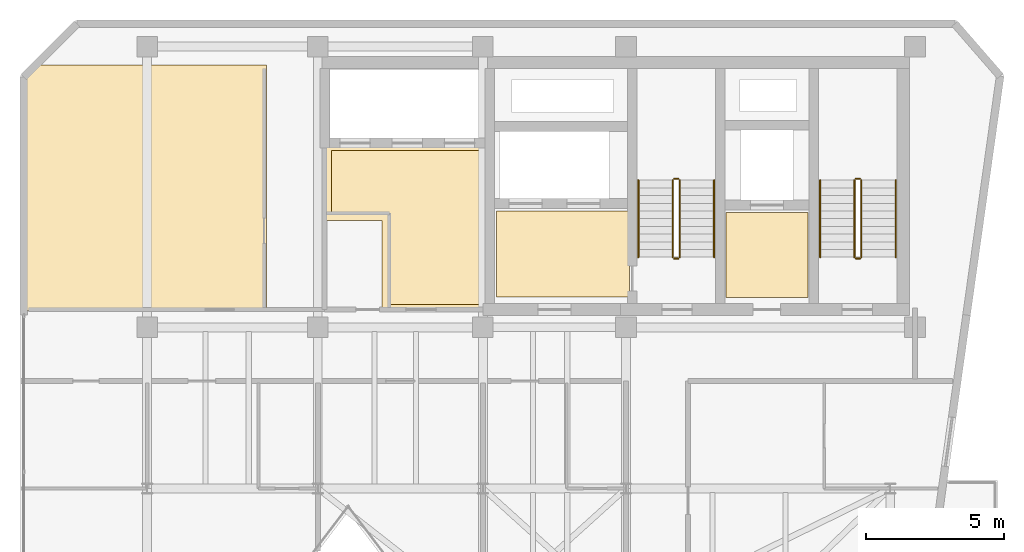
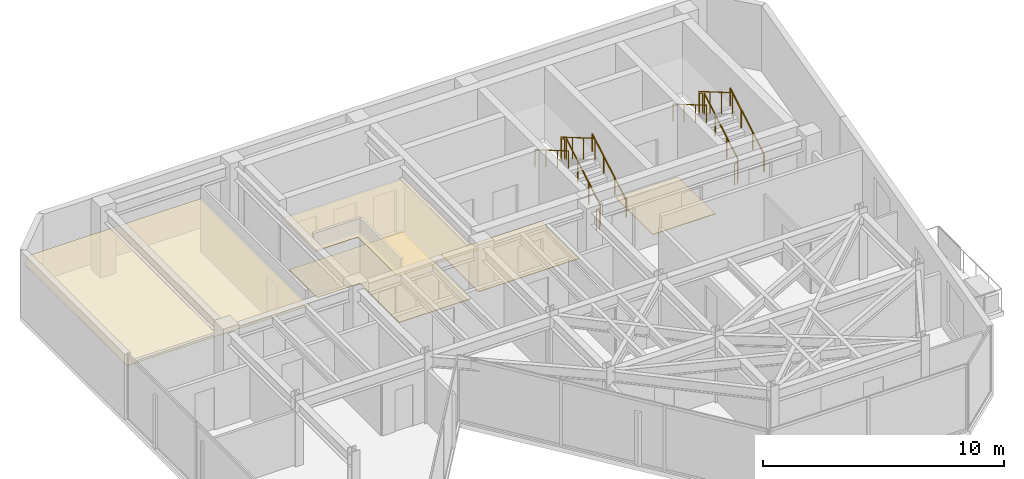
# One storey, part 15 of 16: 12 railings, 5 coverings.
"""IFC4 building model written with IfcOpenShell, lengths in metres."""

from ifc_helpers import new_model, si_unit, direction, frame, origin, origin_2d, place, context, subcontext, project, spatial, polyline, circle, outline, extrude, material, layer, layer_set, type_object, element, save


model = new_model("IFC4")

# Units and contexts
model_context = context("Model", 3, precision=1e-05, world=origin(), true_north=direction((0.0, 1.0)))
body_context = subcontext(model_context, "Body", "Model", "MODEL_VIEW")
ifc_project = project(units=[si_unit("LENGTHUNIT", "METRE"), si_unit("AREAUNIT", "SQUARE_METRE"), si_unit("VOLUMEUNIT", "CUBIC_METRE"), si_unit("PLANEANGLEUNIT", "RADIAN"), si_unit("MASSUNIT", "GRAM", prefix="KILO")], contexts=[model_context])

# Site, building, storey
site_placement = place(None, origin())
site = spatial("IfcSite", under=ifc_project, at=site_placement, CompositionType="ELEMENT")
building_placement = place(site_placement, origin())
building = spatial("IfcBuilding", under=site, at=building_placement, Name="Kravanh Interchange Tower", CompositionType="ELEMENT")
storey_placement = place(building_placement, frame((0.0, 0.0, 307.5)))
storey = spatial("IfcBuildingStorey", under=building, at=storey_placement, Name="L76", CompositionType="ELEMENT", Elevation=307.5)

# Coverings
ifc_material_1 = material(Name="Cementitious Terrazzo Tile")
ifc_layer_1 = layer(ifc_material_1, 0.030029296875)
ifc_layer_set_1 = layer_set([ifc_layer_1], Name="Honed Terrazzo Lobby Flooring 30mm")
covering_type_1 = type_object("IfcCoveringType", Name="Honed Terrazzo Lobby Flooring 30mm", PredefinedType="FLOORING", material=ifc_layer_set_1)
covering_1_placement = place(storey_placement, origin())
element("IfcCovering", 1, at=covering_1_placement, inside=storey, type_object=covering_type_1, Name="L76 Service Lift Lobby Floor Finish", PredefinedType="FLOORING", context=body_context, shape_type="SweptSolid", body=[
    extrude(outline(polyline([(59.6298828125, 41.52001953125), (62.6201171875, 41.52001953125), (62.6201171875, 38.429931640625), (59.6298828125, 38.429931640625), (59.6298828125, 41.52001953125)])), origin(), (0.0, 0.0, 1.0), 0.030029296875),
])
covering_2_placement = place(storey_placement, origin())
element("IfcCovering", 2, at=covering_2_placement, inside=storey, type_object=covering_type_1, Name="L76 Firefighting Lobby Floor Finish", PredefinedType="FLOORING", context=body_context, shape_type="SweptSolid", body=[
    extrude(outline(polyline([(56.1201171875, 38.4599609375), (51.300048828125, 38.4599609375), (51.300048828125, 41.580078125), (56.1201171875, 41.580078125), (56.1201171875, 38.4599609375)])), origin(), (0.0, 0.0, 1.0), 0.030029296875),
])
covering_3_placement = place(storey_placement, origin())
element("IfcCovering", 3, at=covering_3_placement, inside=storey, type_object=covering_type_1, Name="L76 High-Rise Lift Lobby Floor Finish", PredefinedType="FLOORING", context=body_context, shape_type="SweptSolid", body=[
    extrude(outline(polyline([(50.77001953125, 43.77001953125), (50.77001953125, 38.179931640625), (47.35009765625, 38.179931640625), (47.35009765625, 41.449951171875), (45.300048828125, 41.449951171875), (45.300048828125, 43.77001953125), (50.77001953125, 43.77001953125)])), origin(), (0.0, 0.0, 1.0), 0.030029296875),
])
ifc_material_2 = material(Name="Anodised Bronze Aluminium Acoustic Baffle", Category="aluminium")
ifc_layer_2 = layer(ifc_material_2, 0.034912109375)
ifc_layer_set_2 = layer_set([ifc_layer_2], Name="Linear Bronze Baffle Feature Ceiling 35mm")
covering_type_2 = type_object("IfcCoveringType", Name="Linear Bronze Baffle Feature Ceiling 35mm", PredefinedType="CEILING", material=ifc_layer_set_2)
covering_4_placement = place(storey_placement, frame((0.0, 0.0, 2.550048828125)))
element("IfcCovering", 4, at=covering_4_placement, inside=storey, type_object=covering_type_2, Name="L76 Guest Wellness Fitness Lounge Suspended Ceiling", PredefinedType="CEILING", context=body_context, shape_type="SweptSolid", body=[
    extrude(outline(polyline([(42.929931640625, 37.9599609375), (34.179931640625, 37.9599609375), (34.179931640625, 46.42529296875), (34.64453125, 46.889892578125), (42.929931640625, 46.889892578125), (42.929931640625, 37.9599609375)])), origin(), (0.0, 0.0, 1.0), 0.034912109375),
])
ifc_material_3 = material(Name="Acoustic Mineral Fibre Tile on Aluminium Grid", Category="aluminium")
ifc_layer_3 = layer(ifc_material_3, 0.02490234375)
ifc_layer_set_3 = layer_set([ifc_layer_3], Name="Perforated Acoustic Mineral Ceiling 25mm")
covering_type_3 = type_object("IfcCoveringType", Name="Perforated Acoustic Mineral Ceiling 25mm", PredefinedType="CEILING", material=ifc_layer_set_3)
covering_5_placement = place(storey_placement, frame((0.0, 0.0, 2.550048828125)))
element("IfcCovering", 5, at=covering_5_placement, inside=storey, type_object=covering_type_3, Name="L76 High-Rise Lift Lobby Suspended Ceiling", PredefinedType="CEILING", context=body_context, shape_type="SweptSolid", body=[
    extrude(outline(polyline([(47.1298828125, 37.9599609375), (47.1298828125, 41.22998046875), (45.080078125, 41.22998046875), (45.080078125, 43.989990234375), (50.989990234375, 43.989990234375), (50.989990234375, 37.9599609375), (47.1298828125, 37.9599609375)])), origin(), (0.0, 0.0, 1.0), 0.02490234375),
])

# Railings
ifc_material_4 = material(Name="Structural Steel S355", Category="steel")
ifc_layer_4 = layer(ifc_material_4, 0.050048828125)
ifc_layer_set_4 = layer_set([ifc_layer_4], Name="Stair Well Guardrail Structural Steel S355 1100mm")
railing_type_1 = type_object("IfcRailingType", Name="Stair Well Guardrail Structural Steel S355 1100mm", PredefinedType="GUARDRAIL", material=ifc_layer_set_4)
railing_1_placement = place(storey_placement, frame((64.550048828125, 39.89990234375, 0.16357421875)))
element("IfcRailing", 6, at=railing_1_placement, inside=storey, type_object=railing_type_1, Name="L76 ST1 stair guard 1", PredefinedType="GUARDRAIL", context=body_context, shape_type="SweptSolid", body=[
    extrude(circle(Radius=0.02392578125, at=origin_2d()), frame((0.0, 0.0, 1.076171875), z_axis=(0.0, 0.863360870873, 0.504586966384), x_axis=(-1.0, 0.0, 0.0)), (0.0, 0.0, 1.0), 3.2431640625),
    extrude(circle(Radius=0.02099609375, at=origin_2d()), origin(), (0.0, 0.0, 1.0), 1.052001953125),
    extrude(circle(Radius=0.02099609375, at=origin_2d()), frame((0.0, 0.933349609375, 0.54541015625)), (0.0, 0.0, 1.0), 1.052001953125),
    extrude(circle(Radius=0.02099609375, at=origin_2d()), frame((0.0, 1.86669921875, 1.091064453125)), (0.0, 0.0, 1.0), 1.052001953125),
    extrude(circle(Radius=0.02099609375, at=origin_2d()), frame((0.0, 2.800048828125, 1.636474609375)), (0.0, 0.0, 1.0), 1.052001953125),
])
railing_2_placement = place(storey_placement, frame((64.5, 42.75, 1.800048828125)))
element("IfcRailing", 7, at=railing_2_placement, inside=storey, type_object=railing_type_1, Name="L76 ST1 stair guard 2", PredefinedType="GUARDRAIL", context=body_context, shape_type="SweptSolid", body=[
    extrude(circle(Radius=0.02392578125, at=origin_2d()), frame((0.0, 0.0, 1.076171875), z_axis=(-1.0, 0.0, 0.0), x_axis=(0.0, -1.0, 0.0)), (0.0, 0.0, 1.0), 0.14990234375),
    extrude(circle(Radius=0.02099609375, at=origin_2d()), origin(), (0.0, 0.0, 1.0), 1.052001953125),
    extrude(circle(Radius=0.02099609375, at=origin_2d()), frame((-0.14990234375, 0.0, 0.0)), (0.0, 0.0, 1.0), 1.052001953125),
])
railing_3_placement = place(storey_placement, frame((64.300048828125, 42.699951171875, 1.963623046875)))
element("IfcRailing", 8, at=railing_3_placement, inside=storey, type_object=railing_type_1, Name="L76 ST1 stair guard 3", PredefinedType="GUARDRAIL", context=body_context, shape_type="SweptSolid", body=[
    extrude(circle(Radius=0.02392578125, at=origin_2d()), frame((0.0, 0.0, 1.076171875), z_axis=(0.0, -0.863360870873, 0.504586966384), x_axis=(1.0, 0.0, 0.0)), (0.0, 0.0, 1.0), 3.2431640625),
    extrude(circle(Radius=0.02099609375, at=origin_2d()), origin(), (0.0, 0.0, 1.0), 1.052001953125),
    extrude(circle(Radius=0.02099609375, at=origin_2d()), frame((0.0, -0.933349609375, 0.54541015625)), (0.0, 0.0, 1.0), 1.052001953125),
    extrude(circle(Radius=0.02099609375, at=origin_2d()), frame((0.0, -1.86669921875, 1.091064453125)), (0.0, 0.0, 1.0), 1.052001953125),
    extrude(circle(Radius=0.02099609375, at=origin_2d()), frame((0.0, -2.800048828125, 1.636474609375)), (0.0, 0.0, 1.0), 1.052001953125),
])
railing_4_placement = place(storey_placement, frame((64.5, 39.85009765625, 0.0)))
element("IfcRailing", 9, at=railing_4_placement, inside=storey, type_object=railing_type_1, Name="L76 ST1 stair guard 4", PredefinedType="GUARDRAIL", context=body_context, shape_type="SweptSolid", body=[
    extrude(circle(Radius=0.02392578125, at=origin_2d()), frame((0.0, 0.0, 1.076171875), z_axis=(-1.0, 0.0, 0.0), x_axis=(0.0, -1.0, 0.0)), (0.0, 0.0, 1.0), 0.14990234375),
    extrude(circle(Radius=0.02099609375, at=origin_2d()), origin(), (0.0, 0.0, 1.0), 1.052001953125),
    extrude(circle(Radius=0.02099609375, at=origin_2d()), frame((-0.14990234375, 0.0, 0.0)), (0.0, 0.0, 1.0), 1.052001953125),
])
railing_5_placement = place(storey_placement, frame((57.949951171875, 39.89990234375, 0.16357421875)))
element("IfcRailing", 10, at=railing_5_placement, inside=storey, type_object=railing_type_1, Name="L76 ST2 stair guard 1", PredefinedType="GUARDRAIL", context=body_context, shape_type="SweptSolid", body=[
    extrude(circle(Radius=0.02392578125, at=origin_2d()), frame((0.0, 0.0, 1.076171875), z_axis=(0.0, 0.863360870873, 0.504586966384), x_axis=(-1.0, 0.0, 0.0)), (0.0, 0.0, 1.0), 3.2431640625),
    extrude(circle(Radius=0.02099609375, at=origin_2d()), origin(), (0.0, 0.0, 1.0), 1.052001953125),
    extrude(circle(Radius=0.02099609375, at=origin_2d()), frame((0.0, 0.933349609375, 0.54541015625)), (0.0, 0.0, 1.0), 1.052001953125),
    extrude(circle(Radius=0.02099609375, at=origin_2d()), frame((0.0, 1.86669921875, 1.091064453125)), (0.0, 0.0, 1.0), 1.052001953125),
    extrude(circle(Radius=0.02099609375, at=origin_2d()), frame((0.0, 2.800048828125, 1.636474609375)), (0.0, 0.0, 1.0), 1.052001953125),
])
railing_6_placement = place(storey_placement, frame((57.89990234375, 42.75, 1.800048828125)))
element("IfcRailing", 11, at=railing_6_placement, inside=storey, type_object=railing_type_1, Name="L76 ST2 stair guard 2", PredefinedType="GUARDRAIL", context=body_context, shape_type="SweptSolid", body=[
    extrude(circle(Radius=0.02392578125, at=origin_2d()), frame((0.0, 0.0, 1.076171875), z_axis=(-1.0, 0.0, 0.0), x_axis=(0.0, -1.0, 0.0)), (0.0, 0.0, 1.0), 0.14990234375),
    extrude(circle(Radius=0.02099609375, at=origin_2d()), origin(), (0.0, 0.0, 1.0), 1.052001953125),
    extrude(circle(Radius=0.02099609375, at=origin_2d()), frame((-0.14990234375, 0.0, 0.0)), (0.0, 0.0, 1.0), 1.052001953125),
])
railing_7_placement = place(storey_placement, frame((57.699951171875, 42.699951171875, 1.963623046875)))
element("IfcRailing", 12, at=railing_7_placement, inside=storey, type_object=railing_type_1, Name="L76 ST2 stair guard 3", PredefinedType="GUARDRAIL", context=body_context, shape_type="SweptSolid", body=[
    extrude(circle(Radius=0.02392578125, at=origin_2d()), frame((0.0, 0.0, 1.076171875), z_axis=(0.0, -0.863360870873, 0.504586966384), x_axis=(1.0, 0.0, 0.0)), (0.0, 0.0, 1.0), 3.2431640625),
    extrude(circle(Radius=0.02099609375, at=origin_2d()), origin(), (0.0, 0.0, 1.0), 1.052001953125),
    extrude(circle(Radius=0.02099609375, at=origin_2d()), frame((0.0, -0.933349609375, 0.54541015625)), (0.0, 0.0, 1.0), 1.052001953125),
    extrude(circle(Radius=0.02099609375, at=origin_2d()), frame((0.0, -1.86669921875, 1.091064453125)), (0.0, 0.0, 1.0), 1.052001953125),
    extrude(circle(Radius=0.02099609375, at=origin_2d()), frame((0.0, -2.800048828125, 1.636474609375)), (0.0, 0.0, 1.0), 1.052001953125),
])
railing_8_placement = place(storey_placement, frame((57.89990234375, 39.85009765625, 0.0)))
element("IfcRailing", 13, at=railing_8_placement, inside=storey, type_object=railing_type_1, Name="L76 ST2 stair guard 4", PredefinedType="GUARDRAIL", context=body_context, shape_type="SweptSolid", body=[
    extrude(circle(Radius=0.02392578125, at=origin_2d()), frame((0.0, 0.0, 1.076171875), z_axis=(-1.0, 0.0, 0.0), x_axis=(0.0, -1.0, 0.0)), (0.0, 0.0, 1.0), 0.14990234375),
    extrude(circle(Radius=0.02099609375, at=origin_2d()), origin(), (0.0, 0.0, 1.0), 1.052001953125),
    extrude(circle(Radius=0.02099609375, at=origin_2d()), frame((-0.14990234375, 0.0, 0.0)), (0.0, 0.0, 1.0), 1.052001953125),
])
ifc_material_5 = material(Name="Stainless Steel 304", Category="steel")
ifc_layer_5 = layer(ifc_material_5, 0.044921875)
ifc_layer_set_5 = layer_set([ifc_layer_5], Name="Tubular Stair Handrail Stainless 304 900mm")
railing_type_2 = type_object("IfcRailingType", Name="Tubular Stair Handrail Stainless 304 900mm", PredefinedType="HANDRAIL", material=ifc_layer_set_5)
railing_9_placement = place(storey_placement, frame((65.800048828125, 39.89990234375, 0.16357421875)))
element("IfcRailing", 14, at=railing_9_placement, inside=storey, type_object=railing_type_2, Name="L76 ST1 stair handrail 1", PredefinedType="HANDRAIL", context=body_context, shape_type="SweptSolid", body=[
    extrude(circle(Radius=0.02392578125, at=origin_2d()), frame((0.0, 0.0, 0.8759765625), z_axis=(0.0, 0.863360870873, 0.504586966384), x_axis=(-1.0, 0.0, 0.0)), (0.0, 0.0, 1.0), 3.2431640625),
    extrude(circle(Radius=0.02099609375, at=origin_2d()), origin(), (0.0, 0.0, 1.0), 0.851806640625),
    extrude(circle(Radius=0.02099609375, at=origin_2d()), frame((0.0, 0.933349609375, 0.54541015625)), (0.0, 0.0, 1.0), 0.851806640625),
    extrude(circle(Radius=0.02099609375, at=origin_2d()), frame((0.0, 1.86669921875, 1.091064453125)), (0.0, 0.0, 1.0), 0.851806640625),
    extrude(circle(Radius=0.02099609375, at=origin_2d()), frame((0.0, 2.800048828125, 1.636474609375)), (0.0, 0.0, 1.0), 0.851806640625),
])
railing_10_placement = place(storey_placement, frame((63.050048828125, 42.699951171875, 1.963623046875)))
element("IfcRailing", 15, at=railing_10_placement, inside=storey, type_object=railing_type_2, Name="L76 ST1 stair handrail 2", PredefinedType="HANDRAIL", context=body_context, shape_type="SweptSolid", body=[
    extrude(circle(Radius=0.02392578125, at=origin_2d()), frame((0.0, 0.0, 0.8759765625), z_axis=(0.0, -0.863360870873, 0.504586966384), x_axis=(1.0, 0.0, 0.0)), (0.0, 0.0, 1.0), 3.2431640625),
    extrude(circle(Radius=0.02099609375, at=origin_2d()), origin(), (0.0, 0.0, 1.0), 0.851806640625),
    extrude(circle(Radius=0.02099609375, at=origin_2d()), frame((0.0, -0.933349609375, 0.54541015625)), (0.0, 0.0, 1.0), 0.851806640625),
    extrude(circle(Radius=0.02099609375, at=origin_2d()), frame((0.0, -1.86669921875, 1.091064453125)), (0.0, 0.0, 1.0), 0.851806640625),
    extrude(circle(Radius=0.02099609375, at=origin_2d()), frame((0.0, -2.800048828125, 1.636474609375)), (0.0, 0.0, 1.0), 0.851806640625),
])
railing_11_placement = place(storey_placement, frame((59.199951171875, 39.89990234375, 0.16357421875)))
element("IfcRailing", 16, at=railing_11_placement, inside=storey, type_object=railing_type_2, Name="L76 ST2 stair handrail 1", PredefinedType="HANDRAIL", context=body_context, shape_type="SweptSolid", body=[
    extrude(circle(Radius=0.02392578125, at=origin_2d()), frame((0.0, 0.0, 0.8759765625), z_axis=(0.0, 0.863360870873, 0.504586966384), x_axis=(-1.0, 0.0, 0.0)), (0.0, 0.0, 1.0), 3.2431640625),
    extrude(circle(Radius=0.02099609375, at=origin_2d()), origin(), (0.0, 0.0, 1.0), 0.851806640625),
    extrude(circle(Radius=0.02099609375, at=origin_2d()), frame((0.0, 0.933349609375, 0.54541015625)), (0.0, 0.0, 1.0), 0.851806640625),
    extrude(circle(Radius=0.02099609375, at=origin_2d()), frame((0.0, 1.86669921875, 1.091064453125)), (0.0, 0.0, 1.0), 0.851806640625),
    extrude(circle(Radius=0.02099609375, at=origin_2d()), frame((0.0, 2.800048828125, 1.636474609375)), (0.0, 0.0, 1.0), 0.851806640625),
])
railing_12_placement = place(storey_placement, frame((56.449951171875, 42.699951171875, 1.963623046875)))
element("IfcRailing", 17, at=railing_12_placement, inside=storey, type_object=railing_type_2, Name="L76 ST2 stair handrail 2", PredefinedType="HANDRAIL", context=body_context, shape_type="SweptSolid", body=[
    extrude(circle(Radius=0.02392578125, at=origin_2d()), frame((0.0, 0.0, 0.8759765625), z_axis=(0.0, -0.863360870873, 0.504586966384), x_axis=(1.0, 0.0, 0.0)), (0.0, 0.0, 1.0), 3.2431640625),
    extrude(circle(Radius=0.02099609375, at=origin_2d()), origin(), (0.0, 0.0, 1.0), 0.851806640625),
    extrude(circle(Radius=0.02099609375, at=origin_2d()), frame((0.0, -0.933349609375, 0.54541015625)), (0.0, 0.0, 1.0), 0.851806640625),
    extrude(circle(Radius=0.02099609375, at=origin_2d()), frame((0.0, -1.86669921875, 1.091064453125)), (0.0, 0.0, 1.0), 0.851806640625),
    extrude(circle(Radius=0.02099609375, at=origin_2d()), frame((0.0, -2.800048828125, 1.636474609375)), (0.0, 0.0, 1.0), 0.851806640625),
])

save(model, "model.ifc")
